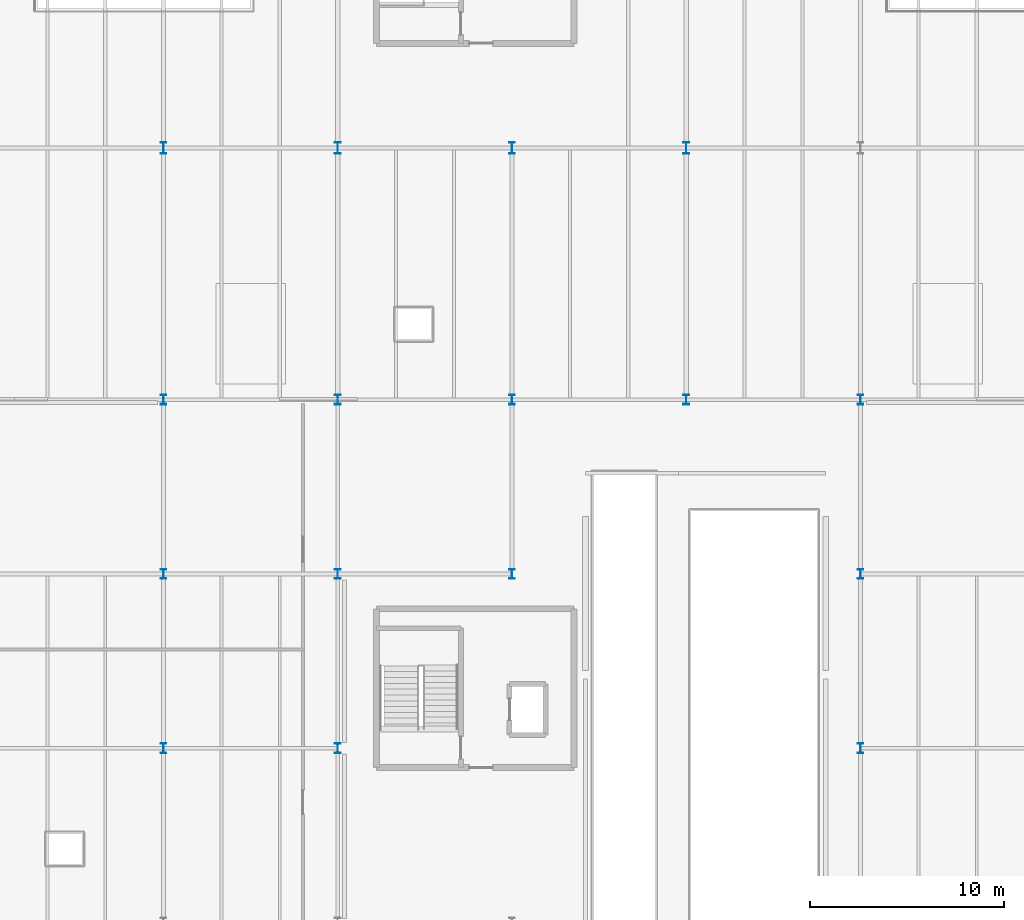
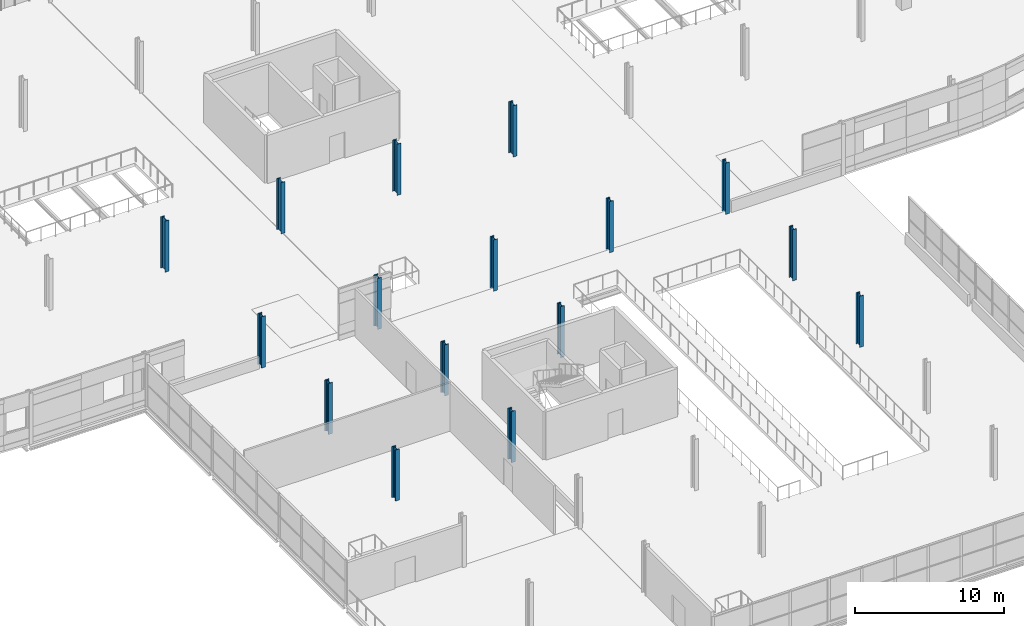
# One storey, part 4 of 88: 16 columns.
"""IFC4 building model written with IfcOpenShell, lengths in metres."""

from ifc_helpers import new_model, si_unit, direction, frame, origin, origin_2d, place, context, subcontext, project, spatial, i_section, extrude, material, material_profile, profile_set, type_object, element, save


model = new_model("IFC4")

# Units and contexts
model_context = context("Model", 3, precision=1e-05, world=origin(), true_north=direction((0.0, 1.0)))
body_context = subcontext(model_context, "Body", "Model", "MODEL_VIEW")
ifc_project = project(units=[si_unit("LENGTHUNIT", "METRE"), si_unit("AREAUNIT", "SQUARE_METRE"), si_unit("VOLUMEUNIT", "CUBIC_METRE"), si_unit("PLANEANGLEUNIT", "RADIAN"), si_unit("MASSUNIT", "GRAM", prefix="KILO")], contexts=[model_context])

# Site, building, storey
site_placement = place(None, origin())
site = spatial("IfcSite", under=ifc_project, at=site_placement, CompositionType="ELEMENT")
building_placement = place(site_placement, origin())
building = spatial("IfcBuilding", under=site, at=building_placement, Name="Deido Ridge Mobility Hub", CompositionType="ELEMENT")
storey_placement = place(building_placement, frame((0.0, 0.0, 16.800048828125)))
storey = spatial("IfcBuildingStorey", under=building, at=storey_placement, Name="L04", CompositionType="ELEMENT", Elevation=16.800048828125)

# Columns
ifc_material = material(Name="Steel S355J2 EN 10025-2", Category="steel")
ifc_material_profile_1 = material_profile(ifc_material, i_section(OverallWidth=0.300048828125, OverallDepth=0.5, WebThickness=0.014404296875, FlangeThickness=0.028076171875, FilletRadius=0.027099609375, at=origin_2d()), Name="HEB 500")
ifc_profile_set_1 = profile_set([ifc_material_profile_1], Name="Steel S355J2 EN 10025-2")
column_type_1 = type_object("IfcColumnType", Name="COL-HEB500", PredefinedType="COLUMN", material=ifc_profile_set_1)
for number, where, z_axis, x_axis, name in (
    (1, (72.0, 63.0, 0.0), (0.0, 0.0, 1.0), (1.0, 0.0, 0.0), "Structural column C5"),
    (2, (72.0, 72.0, 0.0), (0.0, 0.0, 1.0), (1.0, 0.0, 0.0), "Structural column C5"),
    (3, (72.0, 81.0, 0.0), (0.0, 0.0, 1.0), (1.0, 0.0, 0.0), "Structural column C5"),
    (4, (81.0, 72.0, 0.0), (0.0, 0.0, 1.0), (1.0, 0.0, 0.0), "Structural column C5"),
    (5, (81.0, 81.0, 0.0), (0.0, 0.0, 1.0), (1.0, 0.0, 0.0), "Structural column C5"),
    (6, (99.0, 63.0, 0.0), (0.0, 0.0, 1.0), (1.0, 0.0, 0.0), "Structural column C5"),
    (7, (99.0, 72.0, 0.0), (0.0, 0.0, 1.0), (1.0, 0.0, 0.0), "Structural column C5"),
    (8, (99.0, 81.0, 0.0), (0.0, 0.0, 1.0), (1.0, 0.0, 0.0), "Structural column C5"),
    (9, (63.0, 63.0, 0.0), (0.0, 0.0, 1.0), (1.0, 0.0, 0.0), "Structural column C5"),
    (10, (63.0, 72.0, 0.0), (0.0, 0.0, 1.0), (1.0, 0.0, 0.0), "Structural column C5"),
    (11, (63.0, 81.0, 0.0), (0.0, 0.0, 1.0), (1.0, 0.0, 0.0), "Structural column C5"),
    (12, (90.0, 81.0, 0.0), (0.0, 0.0, 1.0), (1.0, 0.0, 0.0), "Structural column C5"),
):
    element("IfcColumn", number, at=place(storey_placement, frame(where, z_axis=z_axis, x_axis=x_axis)), inside=storey, type_object=column_type_1, Name=name, PredefinedType="COLUMN", context=body_context, shape_type="SweptSolid", body=[
        extrude(i_section(OverallWidth=0.300048828125, OverallDepth=0.5, WebThickness=0.014404296875, FlangeThickness=0.028076171875, FilletRadius=0.027099609375, at=origin_2d()), origin(), (0.0, 0.0, 1.0), 4.199951171875),
    ])
ifc_material_profile_2 = material_profile(ifc_material, i_section(OverallWidth=0.300048828125, OverallDepth=0.60009765625, WebThickness=0.015380859375, FlangeThickness=0.030029296875, FilletRadius=0.027099609375, at=origin_2d()), Name="HEB 600")
ifc_profile_set_2 = profile_set([ifc_material_profile_2], Name="Steel S355J2 EN 10025-2")
column_type_2 = type_object("IfcColumnType", Name="COL-HEB600", PredefinedType="COLUMN", material=ifc_profile_set_2)
for number, where, z_axis, x_axis, name in (
    (13, (63.0, 94.0, 0.0), (0.0, 0.0, 1.0), (1.0, 0.0, 0.0), "Structural column C4"),
    (14, (72.0, 94.0, 0.0), (0.0, 0.0, 1.0), (1.0, 0.0, 0.0), "Structural column C4"),
    (15, (81.0, 94.0, 0.0), (0.0, 0.0, 1.0), (1.0, 0.0, 0.0), "Structural column C4"),
    (16, (90.0, 94.0, 0.0), (0.0, 0.0, 1.0), (1.0, 0.0, 0.0), "Structural column C4"),
):
    element("IfcColumn", number, at=place(storey_placement, frame(where, z_axis=z_axis, x_axis=x_axis)), inside=storey, type_object=column_type_2, Name=name, PredefinedType="COLUMN", context=body_context, shape_type="SweptSolid", body=[
        extrude(i_section(OverallWidth=0.300048828125, OverallDepth=0.60009765625, WebThickness=0.015380859375, FlangeThickness=0.030029296875, FilletRadius=0.027099609375, at=origin_2d()), origin(), (0.0, 0.0, 1.0), 4.199951171875),
    ])

save(model, "model.ifc")
